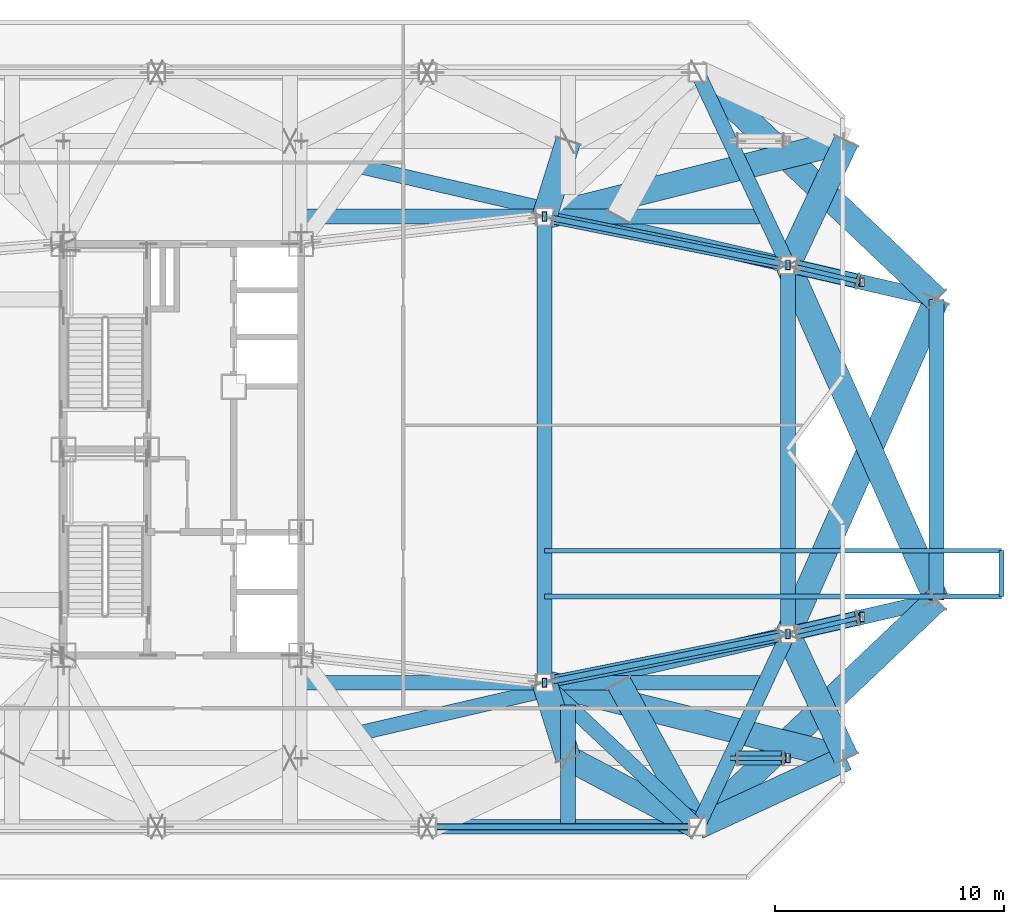
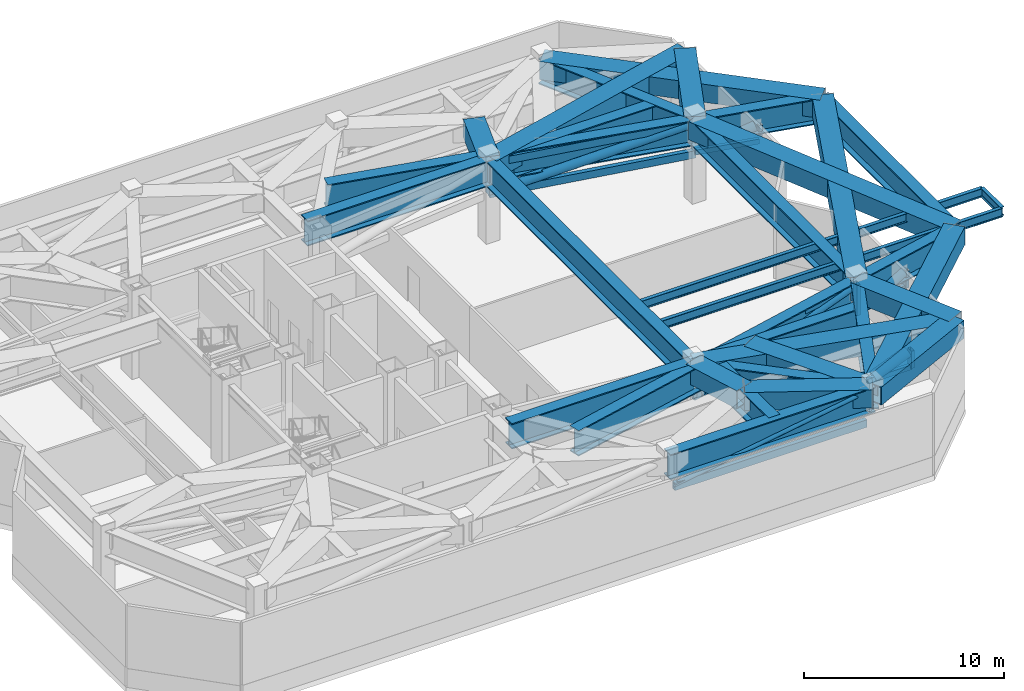
# One storey, part 5 of 19: 28 beams, 21 members.
"""IFC4 building model written with IfcOpenShell, lengths in metres."""

from ifc_helpers import new_model, si_unit, direction, frame, origin, origin_2d, place, context, subcontext, project, spatial, hollow_rectangle, hollow_circle, i_section, extrude, material, material_profile, profile_set, type_object, element, save


model = new_model("IFC4")

# Units and contexts
model_context = context("Model", 3, precision=1e-05, world=origin(), true_north=direction((0.0, 1.0)))
body_context = subcontext(model_context, "Body", "Model", "MODEL_VIEW")
ifc_project = project(units=[si_unit("LENGTHUNIT", "METRE"), si_unit("AREAUNIT", "SQUARE_METRE"), si_unit("VOLUMEUNIT", "CUBIC_METRE"), si_unit("PLANEANGLEUNIT", "RADIAN"), si_unit("MASSUNIT", "GRAM", prefix="KILO")], contexts=[model_context])

# Site, building, storey
site_placement = place(None, origin())
site = spatial("IfcSite", under=ifc_project, at=site_placement, CompositionType="ELEMENT")
building_placement = place(site_placement, origin())
building = spatial("IfcBuilding", under=site, at=building_placement, Name="Khamvora Tower", CompositionType="ELEMENT")
storey_placement = place(building_placement, frame((0.0, 0.0, 211.800048828125)))
storey = spatial("IfcBuildingStorey", under=building, at=storey_placement, Name="L54", CompositionType="ELEMENT", Elevation=211.800048828125)

# Beams
ifc_material_1 = material(Name="Steel S355", Category="steel")
ifc_material_profile_1 = material_profile(ifc_material_1, i_section(OverallWidth=0.208984375, OverallDepth=0.532958984375, WebThickness=0.010009765625, FlangeThickness=0.01611328125, FilletRadius=0.013916015625, at=origin_2d()), Name="W530x92")
ifc_profile_set_1 = profile_set([ifc_material_profile_1], Name="Steel S355")
beam_type_1 = type_object("IfcBeamType", Name="BM-SP-W530x92", PredefinedType="SPANDREL", material=ifc_profile_set_1)
for number, where, z_axis, x_axis, name in (
    (1, (50.050048828125, 21.580078125, 4.712890625), (1.0, 0.0, 0.0), (0.0, 1.0, 0.0), "L54 continuous gallery cantilever girder L55-EL1-1"),
    (2, (50.050048828125, 23.580078125, 4.712890625), (1.0, 0.0, 0.0), (0.0, 1.0, 0.0), "L54 continuous gallery cantilever girder L55-EL1-2"),
):
    element("IfcBeam", number, at=place(storey_placement, frame(where, z_axis=z_axis, x_axis=x_axis)), inside=storey, type_object=beam_type_1, Name=name, PredefinedType="SPANDREL", context=body_context, shape_type="SweptSolid", body=[
        extrude(i_section(OverallWidth=0.208984375, OverallDepth=0.532958984375, WebThickness=0.010009765625, FlangeThickness=0.01611328125, FilletRadius=0.013916015625, at=origin_2d()), origin(), (0.0, 0.0, 1.0), 20.0),
    ])
beam_1_placement = place(storey_placement, frame((70.050048828125, 21.580078125, 4.712890625), z_axis=(0.0, 1.0, 0.0), x_axis=(-1.0, 0.0, 0.0)))
element("IfcBeam", 3, at=beam_1_placement, inside=storey, type_object=beam_type_1, Name="L54 external gallery edge header beam L55-EL1", PredefinedType="SPANDREL", context=body_context, shape_type="SweptSolid", body=[
    extrude(i_section(OverallWidth=0.208984375, OverallDepth=0.532958984375, WebThickness=0.010009765625, FlangeThickness=0.01611328125, FilletRadius=0.013916015625, at=origin_2d()), origin(), (0.0, 0.0, 1.0), 2.0),
])
ifc_material_2 = material(Name="Steel S460", Category="steel")
ifc_material_profile_2 = material_profile(ifc_material_2, hollow_rectangle(XDim=1.10009765625, YDim=1.10009765625, WallThickness=0.054931640625, at=origin_2d()), Name="BOX1100x1100x55")
ifc_profile_set_2 = profile_set([ifc_material_profile_2], Name="Steel S460")
beam_type_2 = type_object("IfcBeamType", Name="BM-TG-BOX1100", PredefinedType="BEAM", material=ifc_profile_set_2)
beam_2_placement = place(storey_placement, frame((50.050048828125, 17.800048828125, 4.429931640625), z_axis=(0.298721191448, -0.954340426567, 0.0), x_axis=(0.954340426567, 0.298721191448, 0.0)))
element("IfcBeam", 4, at=beam_2_placement, inside=storey, type_object=beam_type_2, Name="L54 Zone Transfer Truss frame transfer link S3.1", PredefinedType="BEAM", context=body_context, shape_type="SweptSolid", body=[
    extrude(hollow_rectangle(XDim=1.10009765625, YDim=1.10009765625, WallThickness=0.054931640625, at=origin_2d()), origin(), (0.0, 0.0, 1.0), 3.4580078125),
])
beam_3_placement = place(storey_placement, frame((56.75, 11.5, 4.429931640625), z_axis=(-0.883799029908, 0.467866727534, 0.0), x_axis=(-0.467866727534, -0.883799029908, 0.0)))
element("IfcBeam", 5, at=beam_3_placement, inside=storey, type_object=beam_type_2, Name="L54 Zone Transfer Truss frame transfer link S3.2", PredefinedType="BEAM", context=body_context, shape_type="SweptSolid", body=[
    extrude(hollow_rectangle(XDim=1.10009765625, YDim=1.10009765625, WallThickness=0.054931640625, at=origin_2d()), origin(), (0.0, 0.0, 1.0), 6.412109375),
])
beam_4_placement = place(storey_placement, frame((60.699951171875, 19.925048828125, 4.429931640625), z_axis=(0.425398834666, -0.905005984215, 0.0), x_axis=(0.905005984215, 0.425398834666, 0.0)))
element("IfcBeam", 6, at=beam_4_placement, inside=storey, type_object=beam_type_2, Name="L54 Zone Transfer Truss frame transfer link S4.1", PredefinedType="BEAM", context=body_context, shape_type="SweptSolid", body=[
    extrude(hollow_rectangle(XDim=1.10009765625, YDim=1.10009765625, WallThickness=0.054931640625, at=origin_2d()), origin(), (0.0, 0.0, 1.0), 5.994384765625),
])
beam_5_placement = place(storey_placement, frame((56.75, 11.5, 4.429931640625), z_axis=(0.9079593845, 0.419058177462, 0.0), x_axis=(-0.419058177462, 0.9079593845, 0.0)))
element("IfcBeam", 7, at=beam_5_placement, inside=storey, type_object=beam_type_2, Name="L54 Zone Transfer Truss frame transfer link S4.2", PredefinedType="BEAM", context=body_context, shape_type="SweptSolid", body=[
    extrude(hollow_rectangle(XDim=1.10009765625, YDim=1.10009765625, WallThickness=0.054931640625, at=origin_2d()), origin(), (0.0, 0.0, 1.0), 7.158935546875),
])
beam_6_placement = place(storey_placement, frame((50.050048828125, 17.800048828125, 4.429931640625), z_axis=(0.970141444647, -0.242539846992, 0.0), x_axis=(0.242539846992, 0.970141444647, 0.0)))
element("IfcBeam", 8, at=beam_6_placement, inside=storey, type_object=beam_type_2, Name="L54 Zone Transfer Truss frame transfer link S4.3", PredefinedType="BEAM", context=body_context, shape_type="SweptSolid", body=[
    extrude(hollow_rectangle(XDim=1.10009765625, YDim=1.10009765625, WallThickness=0.054931640625, at=origin_2d()), origin(), (0.0, 0.0, 1.0), 13.606201171875),
])
beam_7_placement = place(storey_placement, frame((50.050048828125, 38.199951171875, 4.429931640625), z_axis=(0.298721191448, 0.954340426567, 0.0), x_axis=(-0.954340426567, 0.298721191448, 0.0)))
element("IfcBeam", 9, at=beam_7_placement, inside=storey, type_object=beam_type_2, Name="L54 Zone Transfer Truss frame transfer link N3.1", PredefinedType="BEAM", context=body_context, shape_type="SweptSolid", body=[
    extrude(hollow_rectangle(XDim=1.10009765625, YDim=1.10009765625, WallThickness=0.054931640625, at=origin_2d()), origin(), (0.0, 0.0, 1.0), 3.4580078125),
])
beam_8_placement = place(storey_placement, frame((60.699951171875, 36.074951171875, 4.429931640625), z_axis=(0.425398834666, 0.905005984215, 0.0), x_axis=(-0.905005984215, 0.425398834666, 0.0)))
element("IfcBeam", 10, at=beam_8_placement, inside=storey, type_object=beam_type_2, Name="L54 Zone Transfer Truss frame transfer link N4.1", PredefinedType="BEAM", context=body_context, shape_type="SweptSolid", body=[
    extrude(hollow_rectangle(XDim=1.10009765625, YDim=1.10009765625, WallThickness=0.054931640625, at=origin_2d()), origin(), (0.0, 0.0, 1.0), 5.994384765625),
])
beam_9_placement = place(storey_placement, frame((50.050048828125, 38.199951171875, 4.429931640625), z_axis=(0.970141444647, 0.242539846992, 0.0), x_axis=(-0.242539846992, 0.970141444647, 0.0)))
element("IfcBeam", 11, at=beam_9_placement, inside=storey, type_object=beam_type_2, Name="L54 Zone Transfer Truss frame transfer link N4.3", PredefinedType="BEAM", context=body_context, shape_type="SweptSolid", body=[
    extrude(hollow_rectangle(XDim=1.10009765625, YDim=1.10009765625, WallThickness=0.054931640625, at=origin_2d()), origin(), (0.0, 0.0, 1.0), 13.606201171875),
])
beam_10_placement = place(storey_placement, frame((56.75, 11.5, 4.429931640625), z_axis=(0.72508274815, 0.688661751759, 0.0), x_axis=(-0.688661751759, 0.72508274815, 0.0)))
element("IfcBeam", 12, at=beam_10_placement, inside=storey, type_object=beam_type_2, Name="L54 Zone Transfer Truss frame transfer link E1.2", PredefinedType="BEAM", context=body_context, shape_type="SweptSolid", body=[
    extrude(hollow_rectangle(XDim=1.10009765625, YDim=1.10009765625, WallThickness=0.054931640625, at=origin_2d()), origin(), (0.0, 0.0, 1.0), 14.412109375),
])
beam_11_placement = place(storey_placement, frame((60.699951171875, 36.074951171875, 4.429931640625), z_axis=(0.405561732126, -0.914067656924, 0.0), x_axis=(0.914067656924, 0.405561732126, 0.0)))
element("IfcBeam", 13, at=beam_11_placement, inside=storey, type_object=beam_type_2, Name="L54 Zone Transfer Truss frame transfer link E1.3", PredefinedType="BEAM", context=body_context, shape_type="SweptSolid", body=[
    extrude(hollow_rectangle(XDim=1.10009765625, YDim=1.10009765625, WallThickness=0.054931640625, at=origin_2d()), origin(), (0.0, 0.0, 1.0), 16.027099609375),
])
beam_12_placement = place(storey_placement, frame((56.75, 44.5, 4.429931640625), z_axis=(0.72508274815, -0.688661751759, 0.0), x_axis=(0.688661751759, 0.72508274815, 0.0)))
element("IfcBeam", 14, at=beam_12_placement, inside=storey, type_object=beam_type_2, Name="L54 Zone Transfer Truss frame transfer link E2.2", PredefinedType="BEAM", context=body_context, shape_type="SweptSolid", body=[
    extrude(hollow_rectangle(XDim=1.10009765625, YDim=1.10009765625, WallThickness=0.054931640625, at=origin_2d()), origin(), (0.0, 0.0, 1.0), 14.412109375),
])
beam_13_placement = place(storey_placement, frame((60.699951171875, 19.925048828125, 4.429931640625), z_axis=(0.405561732126, 0.914067656924, 0.0), x_axis=(-0.914067656924, 0.405561732126, 0.0)))
element("IfcBeam", 15, at=beam_13_placement, inside=storey, type_object=beam_type_2, Name="L54 Zone Transfer Truss frame transfer link E2.3", PredefinedType="BEAM", context=body_context, shape_type="SweptSolid", body=[
    extrude(hollow_rectangle(XDim=1.10009765625, YDim=1.10009765625, WallThickness=0.054931640625, at=origin_2d()), origin(), (0.0, 0.0, 1.0), 16.027099609375),
])
beam_14_placement = place(storey_placement, frame((56.75, 11.5, 4.429931640625), z_axis=(-0.480306529386, 0.877100699937, 0.0), x_axis=(-0.877100699937, -0.480306529386, 0.0)))
element("IfcBeam", 16, at=beam_14_placement, inside=storey, type_object=beam_type_2, Name="L54 Zone Transfer Truss frame transfer link M1.2", PredefinedType="BEAM", context=body_context, shape_type="SweptSolid", body=[
    extrude(hollow_rectangle(XDim=1.10009765625, YDim=1.10009765625, WallThickness=0.054931640625, at=origin_2d()), origin(), (0.0, 0.0, 1.0), 7.182861328125),
])
ifc_material_profile_3 = material_profile(ifc_material_2, i_section(OverallWidth=0.64990234375, OverallDepth=1.550048828125, WebThickness=0.0400390625, FlangeThickness=0.06494140625, at=origin_2d()), Name="PG1550x650x40x65")
ifc_profile_set_3 = profile_set([ifc_material_profile_3], Name="Steel S460")
beam_type_3 = type_object("IfcBeamType", Name="BM-TG-PG1800", PredefinedType="BEAM", material=ifc_profile_set_3)
beam_15_placement = place(storey_placement, frame((44.9169921875, 11.5, 4.204833984375), z_axis=(1.0, 0.0, 0.0), x_axis=(0.0, 1.0, 0.0)))
element("IfcBeam", 17, at=beam_15_placement, inside=storey, type_object=beam_type_3, Name="L54 perimeter spandrel beam S3-S4", PredefinedType="BEAM", context=body_context, shape_type="SweptSolid", body=[
    extrude(i_section(OverallWidth=0.64990234375, OverallDepth=1.550048828125, WebThickness=0.0400390625, FlangeThickness=0.06494140625, at=origin_2d()), origin(), (0.0, 0.0, 1.0), 11.8330078125),
])
beam_16_placement = place(storey_placement, frame((56.75, 11.5, 4.204833984375), z_axis=(0.424496391454, 0.905429629315, 0.0), x_axis=(-0.905429629315, 0.424496391454, 0.0)))
element("IfcBeam", 18, at=beam_16_placement, inside=storey, type_object=beam_type_3, Name="L54 perimeter spandrel beam S4-E1", PredefinedType="BEAM", context=body_context, shape_type="SweptSolid", body=[
    extrude(i_section(OverallWidth=0.64990234375, OverallDepth=1.550048828125, WebThickness=0.0400390625, FlangeThickness=0.06494140625, at=origin_2d()), origin(), (0.0, 0.0, 1.0), 9.304931640625),
])
beam_17_placement = place(storey_placement, frame((60.699951171875, 19.925048828125, 4.204833984375), z_axis=(0.0, 1.0, 0.0), x_axis=(-1.0, 0.0, 0.0)))
element("IfcBeam", 19, at=beam_17_placement, inside=storey, type_object=beam_type_3, Name="L54 perimeter spandrel beam E1-E2", PredefinedType="BEAM", context=body_context, shape_type="SweptSolid", body=[
    extrude(i_section(OverallWidth=0.64990234375, OverallDepth=1.550048828125, WebThickness=0.0400390625, FlangeThickness=0.06494140625, at=origin_2d()), origin(), (0.0, 0.0, 1.0), 16.14990234375),
])
beam_18_placement = place(storey_placement, frame((60.699951171875, 36.074951171875, 4.204833984375), z_axis=(-0.424496391454, 0.905429629315, 0.0), x_axis=(-0.905429629315, -0.424496391454, 0.0)))
element("IfcBeam", 20, at=beam_18_placement, inside=storey, type_object=beam_type_3, Name="L54 perimeter spandrel beam E2-N4", PredefinedType="BEAM", context=body_context, shape_type="SweptSolid", body=[
    extrude(i_section(OverallWidth=0.64990234375, OverallDepth=1.550048828125, WebThickness=0.0400390625, FlangeThickness=0.06494140625, at=origin_2d()), origin(), (0.0, 0.0, 1.0), 9.304931640625),
])
beam_19_placement = place(storey_placement, frame((50.050048828125, 17.800048828125, 4.204833984375), z_axis=(0.0, 1.0, 0.0), x_axis=(-1.0, 0.0, 0.0)))
element("IfcBeam", 21, at=beam_19_placement, inside=storey, type_object=beam_type_3, Name="L54 longitudinal frame girder M1-M2", PredefinedType="BEAM", context=body_context, shape_type="SweptSolid", body=[
    extrude(i_section(OverallWidth=0.64990234375, OverallDepth=1.550048828125, WebThickness=0.0400390625, FlangeThickness=0.06494140625, at=origin_2d()), origin(), (0.0, 0.0, 1.0), 20.39990234375),
])
beam_20_placement = place(storey_placement, frame((50.050048828125, 17.800048828125, 4.204833984375), z_axis=(0.728513992294, -0.685030921224, 0.0), x_axis=(0.685030921224, 0.728513992294, 0.0)))
element("IfcBeam", 22, at=beam_20_placement, inside=storey, type_object=beam_type_3, Name="L54 primary floor girder S4", PredefinedType="BEAM", context=body_context, shape_type="SweptSolid", body=[
    extrude(i_section(OverallWidth=0.64990234375, OverallDepth=1.550048828125, WebThickness=0.0400390625, FlangeThickness=0.06494140625, at=origin_2d()), origin(), (0.0, 0.0, 1.0), 9.19677734375),
])
beam_21_placement = place(storey_placement, frame((51.0830078125, 11.5, 4.204833984375), z_axis=(0.0, 1.0, 0.0), x_axis=(-1.0, 0.0, 0.0)))
element("IfcBeam", 23, at=beam_21_placement, inside=storey, type_object=beam_type_3, Name="L54 Zone Transfer Truss Box Girder S3", PredefinedType="BEAM", context=body_context, shape_type="SweptSolid", body=[
    extrude(i_section(OverallWidth=0.64990234375, OverallDepth=1.550048828125, WebThickness=0.0400390625, FlangeThickness=0.06494140625, at=origin_2d()), origin(), (0.0, 0.0, 1.0), 5.3291015625),
])
for number, where, z_axis, x_axis, name in (
    (24, (41.908935546875, 15.589111328125, 4.204833984375), (0.974395000263, 0.224843019599, 0.0), (-0.224843019599, 0.974395000263, 0.0), "L54 Zone Transfer Truss Upper Box Girder E1"),
    (25, (41.908935546875, 40.410888671875, 4.204833984375), (0.974395000263, -0.224843019599, 0.0), (0.224843019599, 0.974395000263, 0.0), "L54 Zone Transfer Truss Upper Box Girder E2"),
):
    element("IfcBeam", number, at=place(storey_placement, frame(where, z_axis=z_axis, x_axis=x_axis)), inside=storey, type_object=beam_type_3, Name=name, PredefinedType="BEAM", context=body_context, shape_type="SweptSolid", body=[
        extrude(i_section(OverallWidth=0.64990234375, OverallDepth=1.550048828125, WebThickness=0.0400390625, FlangeThickness=0.06494140625, at=origin_2d()), origin(), (0.0, 0.0, 1.0), 25.95556640625),
    ])
for number, where, z_axis, x_axis, name in (
    (26, (39.39990234375, 17.800048828125, 4.204833984375), (1.0, 0.0, 0.0), (0.0, 1.0, 0.0), "L54 Zone Transfer Truss Box Girder M1"),
    (27, (39.39990234375, 38.199951171875, 4.204833984375), (1.0, 0.0, 0.0), (0.0, 1.0, 0.0), "L54 Zone Transfer Truss Box Girder M2"),
):
    element("IfcBeam", number, at=place(storey_placement, frame(where, z_axis=z_axis, x_axis=x_axis)), inside=storey, type_object=beam_type_3, Name=name, PredefinedType="BEAM", context=body_context, shape_type="SweptSolid", body=[
        extrude(i_section(OverallWidth=0.64990234375, OverallDepth=1.550048828125, WebThickness=0.0400390625, FlangeThickness=0.06494140625, at=origin_2d()), origin(), (0.0, 0.0, 1.0), 20.064208984375),
    ])
beam_22_placement = place(storey_placement, frame((67.199951171875, 21.429931640625, 4.204833984375), z_axis=(0.0, 1.0, 0.0), x_axis=(-1.0, 0.0, 0.0)))
element("IfcBeam", 28, at=beam_22_placement, inside=storey, type_object=beam_type_3, Name="L54 east step-out header girder", PredefinedType="BEAM", context=body_context, shape_type="SweptSolid", body=[
    extrude(i_section(OverallWidth=0.64990234375, OverallDepth=1.550048828125, WebThickness=0.0400390625, FlangeThickness=0.06494140625, at=origin_2d()), origin(), (0.0, 0.0, 1.0), 13.150146484375),
])

# Members
ifc_material_profile_4 = material_profile(ifc_material_2, hollow_circle(Radius=0.25390625, WallThickness=0.02490234375, at=origin_2d()), Name="CHS508x25")
ifc_profile_set_4 = profile_set([ifc_material_profile_4], Name="Steel S460")
member_type_1 = type_object("IfcMemberType", Name="MEM-BR-CHS508I", PredefinedType="BRACE", material=ifc_profile_set_4)
for number, where, z_axis, x_axis, name in (
    (29, (50.4169921875, 17.873046875, 2.823974609375), (0.966424652069, 0.192875670417, 0.169771515967), (-0.195716802961, 0.980660457569, 0.0), "L54 Outrigger Truss Web Diagonal 4"),
    (30, (50.4169921875, 38.126953125, 2.823974609375), (0.966424652069, -0.192875670417, 0.169771515967), (0.195716802961, 0.980660457569, 0.0), "L54 Outrigger Truss Web Diagonal 6"),
):
    element("IfcMember", number, at=place(storey_placement, frame(where, z_axis=z_axis, x_axis=x_axis)), inside=storey, type_object=member_type_1, Name=name, PredefinedType="BRACE", context=body_context, shape_type="SweptSolid", body=[
        extrude(hollow_circle(Radius=0.25390625, WallThickness=0.02490234375, at=origin_2d()), origin(), (0.0, 0.0, 1.0), 10.260498046875),
    ])
ifc_material_profile_5 = material_profile(ifc_material_2, hollow_circle(Radius=0.304931640625, WallThickness=0.028076171875, at=origin_2d()), Name="CHS610x28")
ifc_profile_set_5 = profile_set([ifc_material_profile_5], Name="Steel S460")
member_type_2 = type_object("IfcMemberType", Name="MEM-BR-CHS610", PredefinedType="BRACE", material=ifc_profile_set_5)
member_1_placement = place(storey_placement, frame((58.508056640625, 14.5, 2.98486328125), z_axis=(0.924541926576, 0.0, 0.381080340615), x_axis=(0.0, 1.0, 0.0)))
element("IfcMember", 31, at=member_1_placement, inside=storey, type_object=member_type_2, Name="L54 Zone Transfer Truss Web Brace S4", PredefinedType="BRACE", context=body_context, shape_type="SweptSolid", body=[
    extrude(hollow_circle(Radius=0.304931640625, WallThickness=0.028076171875, at=origin_2d()), origin(), (0.0, 0.0, 1.0), 2.154541015625),
])
for number, where, z_axis, x_axis, name in (
    (32, (61.052978515625, 20.007080078125, 2.953857421875), (0.929466027051, 0.214271789211, 0.300300690818), (-0.22464014815, 0.974441790893, 0.0), "L54 Zone Transfer Truss Web Brace E1"),
    (33, (61.052978515625, 35.992919921875, 2.953857421875), (0.929466027051, -0.214271789211, 0.300300690818), (0.22464014815, 0.974441790893, 0.0), "L54 Zone Transfer Truss Web Brace E2"),
):
    element("IfcMember", number, at=place(storey_placement, frame(where, z_axis=z_axis, x_axis=x_axis)), inside=storey, type_object=member_type_2, Name=name, PredefinedType="BRACE", context=body_context, shape_type="SweptSolid", body=[
        extrude(hollow_circle(Radius=0.304931640625, WallThickness=0.028076171875, at=origin_2d()), origin(), (0.0, 0.0, 1.0), 2.8974609375),
    ])
ifc_material_profile_6 = material_profile(ifc_material_2, hollow_rectangle(XDim=0.25, YDim=0.449951171875, WallThickness=0.01611328125, at=origin_2d()), Name="RHS450x250x16")
ifc_profile_set_6 = profile_set([ifc_material_profile_6], Name="Steel S460")
member_type_3 = type_object("IfcMemberType", Name="MEM-CH-RHS450", PredefinedType="CHORD", material=ifc_profile_set_6)
for number, where, z_axis, x_axis, name in (
    (34, (50.050048828125, 17.800048828125, 4.6298828125), (0.980668771461, 0.195675140681, 0.0), (-0.195675140681, 0.980668771461, 0.0), "L54 Outrigger Truss Top Chord 4"),
    (35, (50.050048828125, 17.800048828125, 2.760009765625), (0.980668771461, 0.195675140681, 0.0), (-0.195675140681, 0.980668771461, 0.0), "L54 Outrigger Truss Bottom Chord 4"),
    (36, (50.050048828125, 38.199951171875, 4.6298828125), (0.980668771461, -0.195675140681, 0.0), (0.195675140681, 0.980668771461, 0.0), "L54 Outrigger Truss Top Chord 6"),
    (37, (50.050048828125, 38.199951171875, 2.760009765625), (0.980668771461, -0.195675140681, 0.0), (0.195675140681, 0.980668771461, 0.0), "L54 Outrigger Truss Bottom Chord 6"),
):
    element("IfcMember", number, at=place(storey_placement, frame(where, z_axis=z_axis, x_axis=x_axis)), inside=storey, type_object=member_type_3, Name=name, PredefinedType="CHORD", context=body_context, shape_type="SweptSolid", body=[
        extrude(hollow_rectangle(XDim=0.25, YDim=0.449951171875, WallThickness=0.01611328125, at=origin_2d()), origin(), (0.0, 0.0, 1.0), 10.85986328125),
    ])
member_2_placement = place(storey_placement, frame((45.297119140625, 11.5, 2.760009765625), z_axis=(1.0, 0.0, 0.0), x_axis=(0.0, 1.0, 0.0)))
element("IfcMember", 38, at=member_2_placement, inside=storey, type_object=member_type_3, Name="L54 Perimeter Belt Truss Bottom Chord 1.3", PredefinedType="CHORD", context=body_context, shape_type="SweptSolid", body=[
    extrude(hollow_rectangle(XDim=0.25, YDim=0.449951171875, WallThickness=0.01611328125, at=origin_2d()), origin(), (0.0, 0.0, 1.0), 11.072998046875),
])
ifc_material_profile_7 = material_profile(ifc_material_1, hollow_rectangle(XDim=0.199951171875, YDim=0.300048828125, WallThickness=0.011962890625, at=origin_2d()), Name="RHS300x200x12")
ifc_profile_set_7 = profile_set([ifc_material_profile_7], Name="Steel S355")
member_type_4 = type_object("IfcMemberType", Name="MEM-PR-RHS300", PredefinedType="PURLIN", material=ifc_profile_set_7)
member_3_placement = place(storey_placement, frame((58.156982421875, 14.5, 2.83984375), z_axis=(1.0, 0.0, 0.0), x_axis=(0.0, 1.0, 0.0)))
element("IfcMember", 39, at=member_3_placement, inside=storey, type_object=member_type_4, Name="L54 Zone Transfer Truss Lower Chord S4", PredefinedType="PURLIN", context=body_context, shape_type="SweptSolid", body=[
    extrude(hollow_rectangle(XDim=0.199951171875, YDim=0.300048828125, WallThickness=0.011962890625, at=origin_2d()), origin(), (0.0, 0.0, 1.0), 2.5458984375),
])
for number, where, z_axis, x_axis, name in (
    (40, (60.699951171875, 19.925048828125, 2.83984375), (0.974391195695, 0.224859506699, 0.0), (-0.224859506699, 0.974391195695, 0.0), "L54 Zone Transfer Truss Lower Chord E1"),
    (41, (60.699951171875, 36.074951171875, 2.83984375), (0.974391195695, -0.224859506699, 0.0), (0.224859506699, 0.974391195695, 0.0), "L54 Zone Transfer Truss Lower Chord E2"),
):
    element("IfcMember", number, at=place(storey_placement, frame(where, z_axis=z_axis, x_axis=x_axis)), inside=storey, type_object=member_type_4, Name=name, PredefinedType="PURLIN", context=body_context, shape_type="SweptSolid", body=[
        extrude(hollow_rectangle(XDim=0.199951171875, YDim=0.300048828125, WallThickness=0.011962890625, at=origin_2d()), origin(), (0.0, 0.0, 1.0), 3.33544921875),
    ])
ifc_material_profile_8 = material_profile(ifc_material_1, hollow_rectangle(XDim=0.199951171875, YDim=0.39990234375, WallThickness=0.01611328125, at=origin_2d()), Name="RHS400x200x16")
ifc_profile_set_8 = profile_set([ifc_material_profile_8], Name="Steel S355")
member_type_5 = type_object("IfcMemberType", Name="MEM-PS-RHS400", PredefinedType="POST", material=ifc_profile_set_8)
for number, where, z_axis, x_axis, name in (
    (42, (50.050048828125, 17.800048828125, 2.760009765625), (0.0, 0.0, 1.0), (1.0, 0.0, 0.0), "L54 Outrigger Truss Post 3"),
    (43, (60.699951171875, 19.925048828125, 2.760009765625), (0.0, 0.0, 1.0), (1.0, 0.0, 0.0), "L54 Outrigger Truss Post 4"),
    (44, (50.050048828125, 38.199951171875, 2.760009765625), (0.0, 0.0, 1.0), (1.0, 0.0, 0.0), "L54 Outrigger Truss Post 5"),
    (45, (60.699951171875, 36.074951171875, 2.760009765625), (0.0, 0.0, 1.0), (1.0, 0.0, 0.0), "L54 Outrigger Truss Post 6"),
):
    element("IfcMember", number, at=place(storey_placement, frame(where, z_axis=z_axis, x_axis=x_axis)), inside=storey, type_object=member_type_5, Name=name, PredefinedType="POST", context=body_context, shape_type="SweptSolid", body=[
        extrude(hollow_rectangle(XDim=0.199951171875, YDim=0.39990234375, WallThickness=0.01611328125, at=origin_2d()), origin(), (0.0, 0.0, 1.0), 1.869873046875),
    ])
for number, where, z_axis, x_axis, name in (
    (46, (60.702880859375, 14.5, 2.83984375), (0.0, 0.0, 1.0), (1.0, 0.0, 0.0), "L54 Zone Transfer Truss Vertical Web Post S4"),
    (47, (63.949951171875, 20.675048828125, 2.83984375), (0.0, 0.0, 1.0), (1.0, 0.0, 0.0), "L54 Zone Transfer Truss Vertical Web Post E1"),
    (48, (63.949951171875, 35.324951171875, 2.83984375), (0.0, 0.0, 1.0), (1.0, 0.0, 0.0), "L54 Zone Transfer Truss Vertical Web Post E2"),
):
    element("IfcMember", number, at=place(storey_placement, frame(where, z_axis=z_axis, x_axis=x_axis)), inside=storey, type_object=member_type_5, Name=name, PredefinedType="POST", context=body_context, shape_type="SweptSolid", body=[
        extrude(hollow_rectangle(XDim=0.199951171875, YDim=0.39990234375, WallThickness=0.01611328125, at=origin_2d()), origin(), (0.0, 0.0, 1.0), 1.050048828125),
    ])
ifc_material_profile_9 = material_profile(ifc_material_1, hollow_circle(Radius=0.136474609375, WallThickness=0.011962890625, at=origin_2d()), Name="CHS273x12")
ifc_profile_set_9 = profile_set([ifc_material_profile_9], Name="Steel S355")
member_type_6 = type_object("IfcMemberType", Name="MEM-ST-CHS273", PredefinedType="STRUT", material=ifc_profile_set_9)
member_4_placement = place(storey_placement, frame((45.2919921875, 11.5, 2.822021484375), z_axis=(0.986698852872, 0.0, 0.162558831629), x_axis=(0.0, 1.0, 0.0)))
element("IfcMember", 49, at=member_4_placement, inside=storey, type_object=member_type_6, Name="L54 plant perimeter tie strut 1", PredefinedType="STRUT", context=body_context, shape_type="SweptSolid", body=[
    extrude(hollow_circle(Radius=0.136474609375, WallThickness=0.011962890625, at=origin_2d()), origin(), (0.0, 0.0, 1.0), 11.232421875),
])

save(model, "model.ifc")
